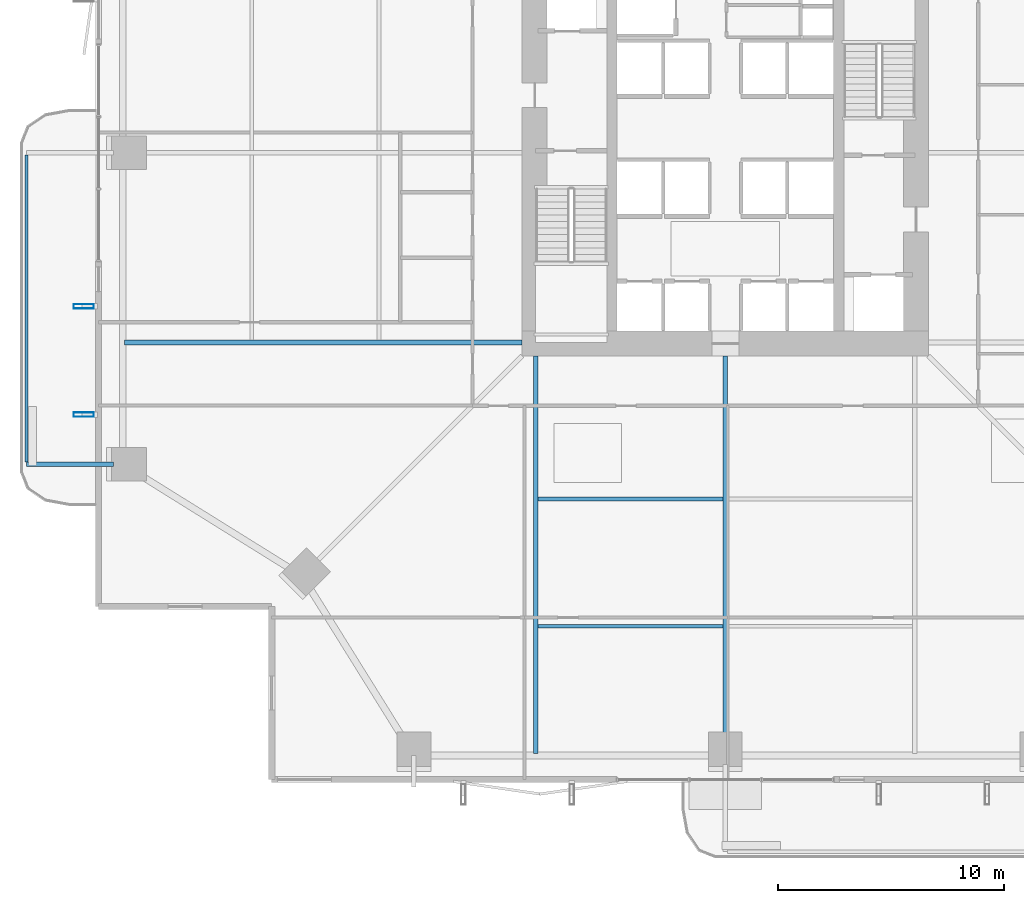
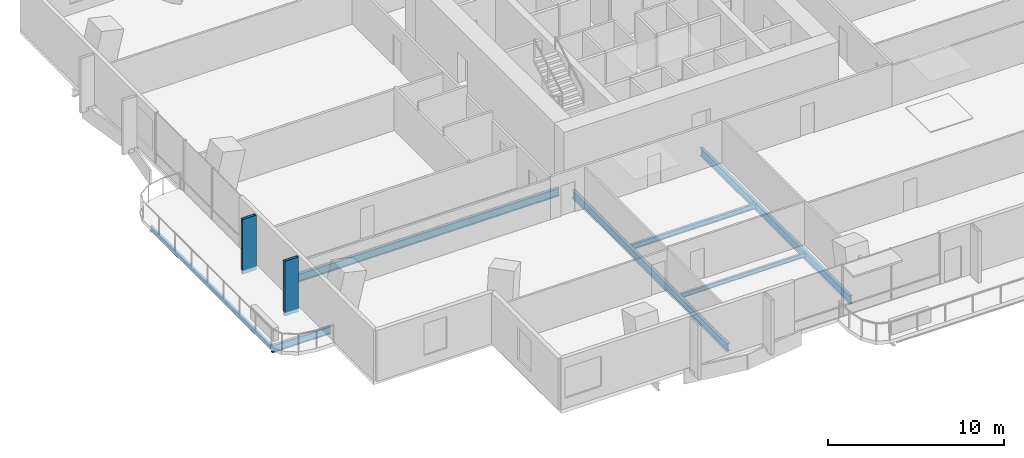
# One storey, part 3 of 24: 7 beams, 2 members.
"""IFC4 building model written with IfcOpenShell, lengths in metres."""

from ifc_helpers import new_model, si_unit, direction, frame, origin, origin_2d, place, context, subcontext, project, spatial, hollow_rectangle, i_section, extrude, material, material_profile, profile_set, type_object, element, save


model = new_model("IFC4")

# Units and contexts
model_context = context("Model", 3, precision=1e-05, world=origin(), true_north=direction((0.0, 1.0)))
body_context = subcontext(model_context, "Body", "Model", "MODEL_VIEW")
ifc_project = project(units=[si_unit("LENGTHUNIT", "METRE"), si_unit("AREAUNIT", "SQUARE_METRE"), si_unit("VOLUMEUNIT", "CUBIC_METRE"), si_unit("PLANEANGLEUNIT", "RADIAN"), si_unit("MASSUNIT", "GRAM", prefix="KILO")], contexts=[model_context])

# Site, building, storey
site_placement = place(None, origin())
site = spatial("IfcSite", under=ifc_project, at=site_placement, CompositionType="ELEMENT")
building_placement = place(site_placement, origin())
building = spatial("IfcBuilding", under=site, at=building_placement, Name="Belovzor Exchange Tower", CompositionType="ELEMENT")
storey_placement = place(building_placement, frame((0.0, 0.0, 104.10009765625)))
storey = spatial("IfcBuildingStorey", under=building, at=storey_placement, Name="L25", CompositionType="ELEMENT", Elevation=104.10009765625)

# Beams
ifc_material_1 = material(Name="Steel S355", Category="steel")
ifc_material_profile_1 = material_profile(ifc_material_1, i_section(OverallWidth=0.199951171875, OverallDepth=0.5, WebThickness=0.01025390625, FlangeThickness=0.01611328125, at=origin_2d()))
ifc_profile_set_1 = profile_set([ifc_material_profile_1], Name="Steel S355")
beam_type_1 = type_object("IfcBeamType", Name="Planted Balcony Cantilever Beam IPE 500", PredefinedType="BEAM", material=ifc_profile_set_1)
beam_1_placement = place(storey_placement, frame((1.68798828125, 15.0, -0.5), z_axis=(-1.0, 0.0, 0.0), x_axis=(0.0, -1.0, 0.0)))
element("IfcBeam", 1, at=beam_1_placement, inside=storey, type_object=beam_type_1, Name="BC-500 Planted Balcony Cantilever Beam IPE 500", PredefinedType="BEAM", context=body_context, shape_type="SweptSolid", body=[
    extrude(i_section(OverallWidth=0.199951171875, OverallDepth=0.5, WebThickness=0.01025390625, FlangeThickness=0.01611328125, at=origin_2d()), origin(), (0.0, 0.0, 1.0), 3.85009765625),
])
ifc_material_2 = material(Name="Steel S355", Category="steel")
ifc_material_profile_2 = material_profile(ifc_material_2, i_section(OverallWidth=0.14990234375, OverallDepth=0.300048828125, WebThickness=0.007080078125, FlangeThickness=0.0107421875, at=origin_2d()))
ifc_profile_set_2 = profile_set([ifc_material_profile_2], Name="Steel S355")
beam_type_2 = type_object("IfcBeamType", Name="Planted Balcony Fascia Edge Beam IPE 300", PredefinedType="BEAM", material=ifc_profile_set_2)
beam_2_placement = place(storey_placement, frame((-2.162109375, 28.699951171875, -0.400146484375), z_axis=(0.0, -1.0, 0.0), x_axis=(1.0, 0.0, 0.0)))
element("IfcBeam", 2, at=beam_2_placement, inside=storey, type_object=beam_type_2, Name="BC-300 Planted Balcony Fascia Edge Beam IPE 300", PredefinedType="BEAM", context=body_context, shape_type="SweptSolid", body=[
    extrude(i_section(OverallWidth=0.14990234375, OverallDepth=0.300048828125, WebThickness=0.007080078125, FlangeThickness=0.0107421875, at=origin_2d()), origin(), (0.0, 0.0, 1.0), 13.599853515625),
])
ifc_material_3 = material(Name="Steel S355", Category="steel")
ifc_material_profile_3 = material_profile(ifc_material_3, i_section(OverallWidth=0.169921875, OverallDepth=0.360107421875, WebThickness=0.008056640625, FlangeThickness=0.0126953125, at=origin_2d()))
ifc_profile_set_3 = profile_set([ifc_material_profile_3], Name="Steel S355")
beam_type_3 = type_object("IfcBeamType", Name="Secondary Infill Floor Joist IPE 360", PredefinedType="BEAM", material=ifc_profile_set_3)
beam_3_placement = place(storey_placement, frame((20.5048828125, 13.455078125, -0.43017578125), z_axis=(1.0, 0.0, 0.0), x_axis=(0.0, 1.0, 0.0)))
element("IfcBeam", 3, at=beam_3_placement, inside=storey, type_object=beam_type_3, Name="FJ-360 Secondary Infill Floor Joist IPE 360", PredefinedType="BEAM", context=body_context, shape_type="SweptSolid", body=[
    extrude(i_section(OverallWidth=0.169921875, OverallDepth=0.360107421875, WebThickness=0.008056640625, FlangeThickness=0.0126953125, at=origin_2d()), origin(), (0.0, 0.0, 1.0), 8.190185546875),
])
ifc_material_4 = material(Name="Steel S355", Category="steel")
ifc_material_profile_4 = material_profile(ifc_material_4, i_section(OverallWidth=0.14990234375, OverallDepth=0.300048828125, WebThickness=0.007080078125, FlangeThickness=0.0107421875, at=origin_2d()))
ifc_profile_set_4 = profile_set([ifc_material_profile_4], Name="Steel S355")
beam_type_4 = type_object("IfcBeamType", Name="Secondary Trim Floor Joist IPE 300", PredefinedType="BEAM", material=ifc_profile_set_4)
beam_4_placement = place(storey_placement, frame((20.5048828125, 7.81494140625, -0.400146484375), z_axis=(1.0, 0.0, 0.0), x_axis=(0.0, 1.0, 0.0)))
element("IfcBeam", 4, at=beam_4_placement, inside=storey, type_object=beam_type_4, Name="FJ-300 Secondary Trim Floor Joist IPE 300", PredefinedType="BEAM", context=body_context, shape_type="SweptSolid", body=[
    extrude(i_section(OverallWidth=0.14990234375, OverallDepth=0.300048828125, WebThickness=0.007080078125, FlangeThickness=0.0107421875, at=origin_2d()), origin(), (0.0, 0.0, 1.0), 8.190185546875),
])

# Members
ifc_material_5 = material(Name="Extruded Architectural Terracotta on Steel S355 Carrier", Category="masonry")
ifc_material_profile_5 = material_profile(ifc_material_5, hollow_rectangle(XDim=0.199951171875, YDim=0.89990234375, WallThickness=0.011962890625, at=origin_2d()))
ifc_profile_set_5 = profile_set([ifc_material_profile_5], Name="Extruded Architectural Terracotta on Steel S355 Carrier")
member_type = type_object("IfcMemberType", Name="Sweeping Terracotta Baguette Fin Assembly 1250", PredefinedType="USERDEFINED", material=ifc_profile_set_5)
for number, where, z_axis, x_axis, name in (
    (5, (0.375, 17.199951171875, -0.25), (0.0, 0.0, 1.0), (0.0, 1.0, 0.0), "FIN-TC125 Terracotta Facade Fin L25 W1"),
    (6, (0.375, 22.0, -0.25), (0.0, 0.0, 1.0), (0.0, 1.0, 0.0), "FIN-TC125 Terracotta Facade Fin L25 W2"),
):
    element("IfcMember", number, at=place(storey_placement, frame(where, z_axis=z_axis, x_axis=x_axis)), inside=storey, type_object=member_type, Name=name, ObjectType="FIN", PredefinedType="USERDEFINED", context=body_context, shape_type="SweptSolid", body=[
        extrude(hollow_rectangle(XDim=0.199951171875, YDim=0.89990234375, WallThickness=0.011962890625, at=origin_2d()), origin(), (0.0, 0.0, 1.0), 3.789794921875),
    ])

# Beams
ifc_material_6 = material(Name="Steel S355", Category="steel")
ifc_material_profile_6 = material_profile(ifc_material_6, i_section(OverallWidth=0.2099609375, OverallDepth=0.550048828125, WebThickness=0.010986328125, FlangeThickness=0.01708984375, at=origin_2d()))
ifc_profile_set_6 = profile_set([ifc_material_profile_6], Name="Steel S355")
beam_type_5 = type_object("IfcBeamType", Name="Zone 1 Radial Composite Floor Beam IPE 550", PredefinedType="BEAM", material=ifc_profile_set_6)
beam_5_placement = place(storey_placement, frame((20.39990234375, 19.800048828125, -0.525146484375), z_axis=(0.0, -1.0, 0.0), x_axis=(1.0, 0.0, 0.0)))
element("IfcBeam", 7, at=beam_5_placement, inside=storey, type_object=beam_type_5, Name="FB-550 Zone 1 Radial Composite Floor Beam IPE 550", PredefinedType="BEAM", context=body_context, shape_type="SweptSolid", body=[
    extrude(i_section(OverallWidth=0.2099609375, OverallDepth=0.550048828125, WebThickness=0.010986328125, FlangeThickness=0.01708984375, at=origin_2d()), origin(), (0.0, 0.0, 1.0), 17.625),
])
beam_6_placement = place(storey_placement, frame((28.800048828125, 19.800048828125, -0.525146484375), z_axis=(0.0, -1.0, 0.0), x_axis=(1.0, 0.0, 0.0)))
element("IfcBeam", 8, at=beam_6_placement, inside=storey, type_object=beam_type_5, Name="FB-550 Zone 1 Radial Composite Floor Beam IPE 550", PredefinedType="BEAM", context=body_context, shape_type="SweptSolid", body=[
    extrude(i_section(OverallWidth=0.2099609375, OverallDepth=0.550048828125, WebThickness=0.010986328125, FlangeThickness=0.01708984375, at=origin_2d()), origin(), (0.0, 0.0, 1.0), 17.0400390625),
])
beam_7_placement = place(storey_placement, frame((19.800048828125, 20.39990234375, -0.525146484375), z_axis=(-1.0, 0.0, 0.0), x_axis=(0.0, -1.0, 0.0)))
element("IfcBeam", 9, at=beam_7_placement, inside=storey, type_object=beam_type_5, Name="FB-550 Zone 1 Radial Composite Floor Beam IPE 550", PredefinedType="BEAM", context=body_context, shape_type="SweptSolid", body=[
    extrude(i_section(OverallWidth=0.2099609375, OverallDepth=0.550048828125, WebThickness=0.010986328125, FlangeThickness=0.01708984375, at=origin_2d()), origin(), (0.0, 0.0, 1.0), 17.625),
])

save(model, "model.ifc")
